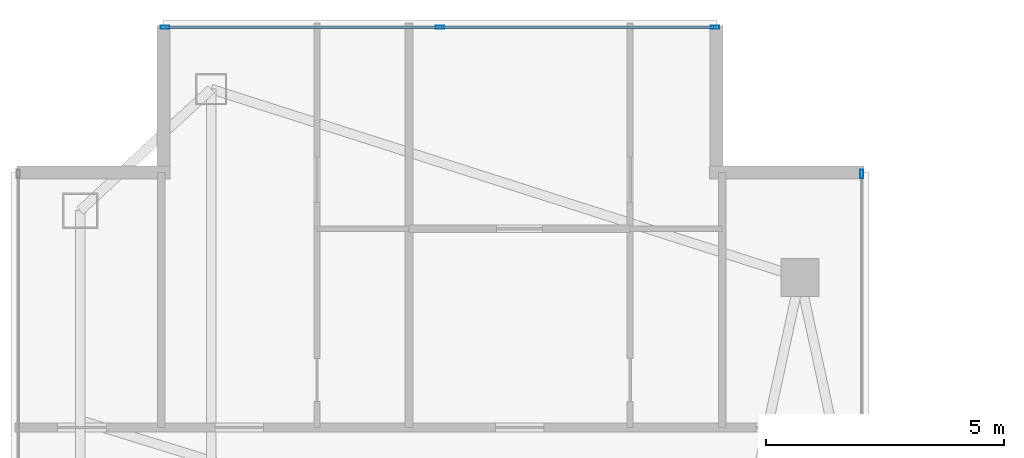
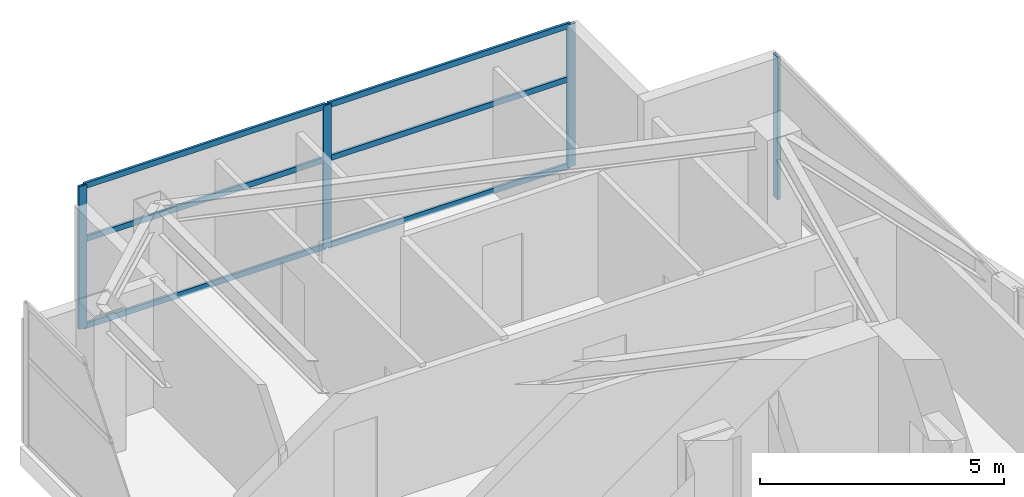
# One storey, part 20 of 28: 10 members, 2 elements without a shape of their own.
"""IFC4 building model written with IfcOpenShell, lengths in metres."""

from ifc_helpers import new_model, si_unit, direction, frame, origin, origin_2d, place, context, subcontext, project, spatial, hollow_rectangle, extrude, material, layer, layer_set, material_profile, profile_set, type_object, element, aggregate, save


model = new_model("IFC4")

# Units and contexts
model_context = context("Model", 3, precision=1e-05, world=origin(), true_north=direction((0.0, 1.0)))
body_context = subcontext(model_context, "Body", "Model", "MODEL_VIEW")
ifc_project = project(units=[si_unit("LENGTHUNIT", "METRE"), si_unit("AREAUNIT", "SQUARE_METRE"), si_unit("VOLUMEUNIT", "CUBIC_METRE"), si_unit("PLANEANGLEUNIT", "RADIAN"), si_unit("MASSUNIT", "GRAM", prefix="KILO")], contexts=[model_context])

# Site, building, storey
site_placement = place(None, origin())
site = spatial("IfcSite", under=ifc_project, at=site_placement, CompositionType="ELEMENT")
building_placement = place(site_placement, origin())
building = spatial("IfcBuilding", under=site, at=building_placement, Name="Calvorn Quay Hotel", CompositionType="ELEMENT")
storey_placement = place(building_placement, frame((0.0, 0.0, 243.800048828125)))
storey = spatial("IfcBuildingStorey", under=building, at=storey_placement, Name="L60", CompositionType="ELEMENT", Elevation=243.800048828125)

# Curtain wall, member
ifc_material_1 = material(Name="Champagne Bronze Anodised Aluminium and Low-E Glass", Category="aluminium")
ifc_layer = layer(ifc_material_1, 0.219970703125)
ifc_layer_set = layer_set([ifc_layer], Name="CW-SYS-Z3")
curtain_wall_type = type_object("IfcCurtainWallType", Name="CW-SYS-Z3", PredefinedType="NOTDEFINED", material=ifc_layer_set)
curtain_wall_1_placement = place(storey_placement, origin())
curtain_wall_1 = element("IfcCurtainWall", 1, at=curtain_wall_1_placement, inside=storey, type_object=curtain_wall_type, Name="Inner Court Curtain Wall L60-IC2", PredefinedType="NOTDEFINED")
ifc_material_2 = material(Name="Champagne Bronze Anodised Aluminium 6063-T6", Category="aluminium")
ifc_material_profile_1 = material_profile(ifc_material_2, hollow_rectangle(XDim=0.068115234375, YDim=0.18505859375, WallThickness=0.00390625, at=origin_2d()), Name="ALU-M185x68x4")
ifc_profile_set_1 = profile_set([ifc_material_profile_1], Name="Champagne Bronze Anodised Aluminium 6063-T6")
member_type_1 = type_object("IfcMemberType", Name="CW-SYS-Z3-MUL", PredefinedType="MULLION", material=ifc_profile_set_1)
member_1_placement = place(storey_placement, frame((17.85009765625, 47.77001953125, 0.0), z_axis=(0.0, 0.0, 1.0), x_axis=(-1.0, 0.0, 0.0)))
member_1 = element("IfcMember", 2, at=member_1_placement, type_object=member_type_1, Name="CW-L60-IC2 mullion 2", PredefinedType="MULLION", context=body_context, shape_type="SweptSolid", body=[
    extrude(hollow_rectangle(XDim=0.068115234375, YDim=0.18505859375, WallThickness=0.00390625, at=origin_2d()), origin(), (0.0, 0.0, 1.0), 3.56005859375),
])
aggregate(curtain_wall_1, [member_1])

# Curtain wall, members
curtain_wall_2_placement = place(storey_placement, origin())
curtain_wall_2 = element("IfcCurtainWall", 3, at=curtain_wall_2_placement, inside=storey, type_object=curtain_wall_type, Name="Inner Court Curtain Wall L60-N1", PredefinedType="NOTDEFINED")
member_2_placement = place(storey_placement, frame((14.77001953125, 50.85009765625, 0.0), z_axis=(0.0, 0.0, 1.0), x_axis=(0.0, -1.0, 0.0)))
member_2 = element("IfcMember", 4, at=member_2_placement, type_object=member_type_1, Name="CW-L60-N1 mullion 1", PredefinedType="MULLION", context=body_context, shape_type="SweptSolid", body=[
    extrude(hollow_rectangle(XDim=0.068115234375, YDim=0.18505859375, WallThickness=0.00390625, at=origin_2d()), origin(), (0.0, 0.0, 1.0), 3.56005859375),
])
member_3_placement = place(storey_placement, frame((9.0, 50.85009765625, 0.0), z_axis=(0.0, 0.0, 1.0), x_axis=(0.0, -1.0, 0.0)))
member_3 = element("IfcMember", 5, at=member_3_placement, type_object=member_type_1, Name="CW-L60-N1 mullion 2", PredefinedType="MULLION", context=body_context, shape_type="SweptSolid", body=[
    extrude(hollow_rectangle(XDim=0.068115234375, YDim=0.18505859375, WallThickness=0.00390625, at=origin_2d()), origin(), (0.0, 0.0, 1.0), 3.56005859375),
])
member_4_placement = place(storey_placement, frame((3.22998046875, 50.85009765625, 0.0), z_axis=(0.0, 0.0, 1.0), x_axis=(0.0, -1.0, 0.0)))
member_4 = element("IfcMember", 6, at=member_4_placement, type_object=member_type_1, Name="CW-L60-N1 mullion 3", PredefinedType="MULLION", context=body_context, shape_type="SweptSolid", body=[
    extrude(hollow_rectangle(XDim=0.068115234375, YDim=0.18505859375, WallThickness=0.00390625, at=origin_2d()), origin(), (0.0, 0.0, 1.0), 3.56005859375),
])
ifc_material_3 = material(Name="Champagne Bronze Anodised Aluminium 6063-T6", Category="aluminium")
ifc_material_profile_2 = material_profile(ifc_material_3, hollow_rectangle(XDim=0.05810546875, YDim=0.139892578125, WallThickness=0.003173828125, at=origin_2d()), Name="ALU-T140x58x3.2")
ifc_profile_set_2 = profile_set([ifc_material_profile_2], Name="Champagne Bronze Anodised Aluminium 6063-T6")
member_type_2 = type_object("IfcMemberType", Name="CW-SYS-Z3-TRN", PredefinedType="USERDEFINED", material=ifc_profile_set_2)
member_5_placement = place(storey_placement, frame((14.739990234375, 50.85009765625, 0.030029296875), z_axis=(-1.0, 0.0, 0.0), x_axis=(0.0, -1.0, 0.0)))
member_5 = element("IfcMember", 7, at=member_5_placement, type_object=member_type_2, Name="CW-L60-N1 transom 1.1", ObjectType="TRANSOM", PredefinedType="USERDEFINED", context=body_context, shape_type="SweptSolid", body=[
    extrude(hollow_rectangle(XDim=0.05810546875, YDim=0.139892578125, WallThickness=0.003173828125, at=origin_2d()), origin(), (0.0, 0.0, 1.0), 5.7099609375),
])
member_6_placement = place(storey_placement, frame((14.739990234375, 50.85009765625, 2.199951171875), z_axis=(-1.0, 0.0, 0.0), x_axis=(0.0, -1.0, 0.0)))
member_6 = element("IfcMember", 8, at=member_6_placement, type_object=member_type_2, Name="CW-L60-N1 transom 1.2", ObjectType="TRANSOM", PredefinedType="USERDEFINED", context=body_context, shape_type="SweptSolid", body=[
    extrude(hollow_rectangle(XDim=0.05810546875, YDim=0.139892578125, WallThickness=0.003173828125, at=origin_2d()), origin(), (0.0, 0.0, 1.0), 5.7099609375),
])
member_7_placement = place(storey_placement, frame((14.739990234375, 50.85009765625, 3.530029296875), z_axis=(-1.0, 0.0, 0.0), x_axis=(0.0, -1.0, 0.0)))
member_7 = element("IfcMember", 9, at=member_7_placement, type_object=member_type_2, Name="CW-L60-N1 transom 1.3", ObjectType="TRANSOM", PredefinedType="USERDEFINED", context=body_context, shape_type="SweptSolid", body=[
    extrude(hollow_rectangle(XDim=0.05810546875, YDim=0.139892578125, WallThickness=0.003173828125, at=origin_2d()), origin(), (0.0, 0.0, 1.0), 5.7099609375),
])
member_8_placement = place(storey_placement, frame((8.969970703125, 50.85009765625, 0.030029296875), z_axis=(-1.0, 0.0, 0.0), x_axis=(0.0, -1.0, 0.0)))
member_8 = element("IfcMember", 10, at=member_8_placement, type_object=member_type_2, Name="CW-L60-N1 transom 2.1", ObjectType="TRANSOM", PredefinedType="USERDEFINED", context=body_context, shape_type="SweptSolid", body=[
    extrude(hollow_rectangle(XDim=0.05810546875, YDim=0.139892578125, WallThickness=0.003173828125, at=origin_2d()), origin(), (0.0, 0.0, 1.0), 5.7099609375),
])
member_9_placement = place(storey_placement, frame((8.969970703125, 50.85009765625, 2.199951171875), z_axis=(-1.0, 0.0, 0.0), x_axis=(0.0, -1.0, 0.0)))
member_9 = element("IfcMember", 11, at=member_9_placement, type_object=member_type_2, Name="CW-L60-N1 transom 2.2", ObjectType="TRANSOM", PredefinedType="USERDEFINED", context=body_context, shape_type="SweptSolid", body=[
    extrude(hollow_rectangle(XDim=0.05810546875, YDim=0.139892578125, WallThickness=0.003173828125, at=origin_2d()), origin(), (0.0, 0.0, 1.0), 5.7099609375),
])
member_10_placement = place(storey_placement, frame((8.969970703125, 50.85009765625, 3.530029296875), z_axis=(-1.0, 0.0, 0.0), x_axis=(0.0, -1.0, 0.0)))
member_10 = element("IfcMember", 12, at=member_10_placement, type_object=member_type_2, Name="CW-L60-N1 transom 2.3", ObjectType="TRANSOM", PredefinedType="USERDEFINED", context=body_context, shape_type="SweptSolid", body=[
    extrude(hollow_rectangle(XDim=0.05810546875, YDim=0.139892578125, WallThickness=0.003173828125, at=origin_2d()), origin(), (0.0, 0.0, 1.0), 5.7099609375),
])
aggregate(curtain_wall_2, [member_2, member_3, member_4, member_5, member_6, member_7, member_8, member_9, member_10])

save(model, "model.ifc")
